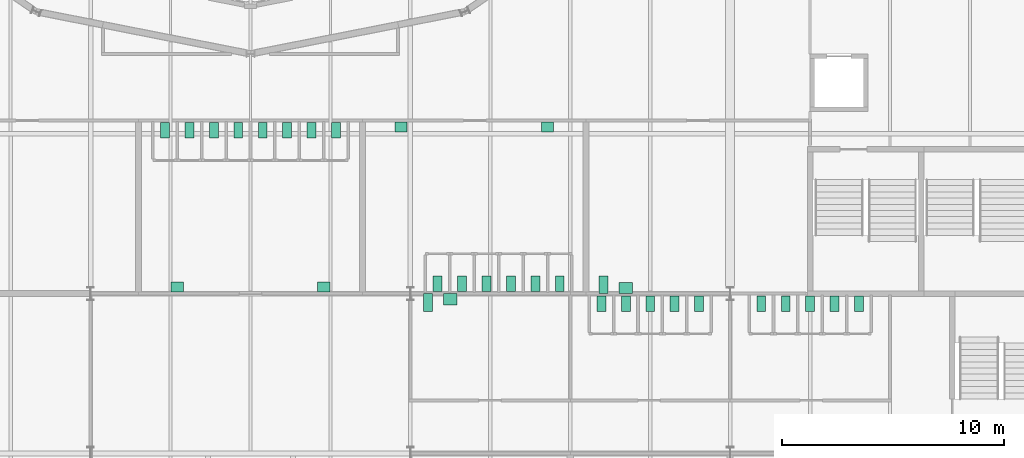
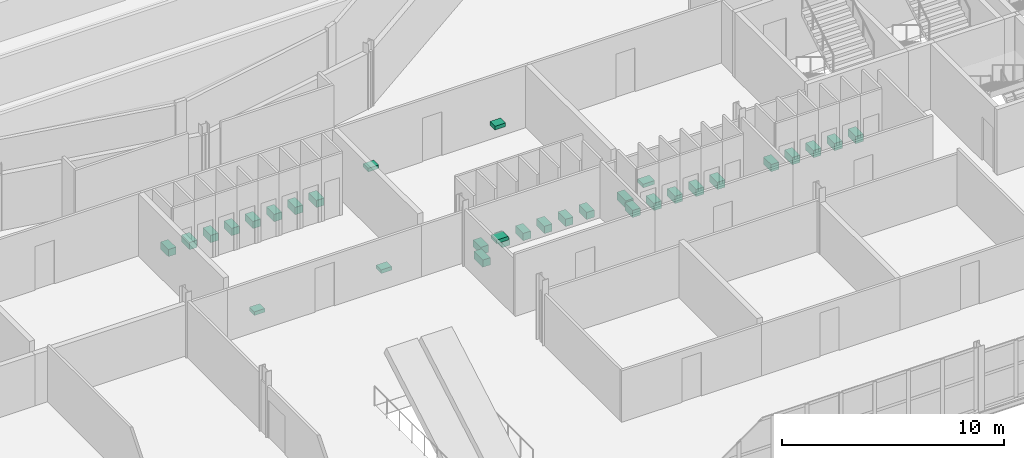
# One storey, part 89 of 90: 32 sanitary terminals.
"""IFC4 building model written with IfcOpenShell, lengths in metres."""

from ifc_helpers import new_model, si_unit, direction, frame, origin, origin_2d, place, context, subcontext, project, spatial, rectangle, extrude, element, save


model = new_model("IFC4")

# Units and contexts
model_context = context("Model", 3, precision=1e-05, world=origin(), true_north=direction((0.0, 1.0)))
body_context = subcontext(model_context, "Body", "Model", "MODEL_VIEW")
ifc_project = project(units=[si_unit("LENGTHUNIT", "METRE"), si_unit("AREAUNIT", "SQUARE_METRE"), si_unit("VOLUMEUNIT", "CUBIC_METRE"), si_unit("PLANEANGLEUNIT", "RADIAN"), si_unit("MASSUNIT", "GRAM", prefix="KILO")], contexts=[model_context])

# Site, building, storey
site_placement = place(None, origin())
site = spatial("IfcSite", under=ifc_project, at=site_placement, CompositionType="ELEMENT")
building_placement = place(site_placement, origin())
building = spatial("IfcBuilding", under=site, at=building_placement, Name="Kupolbacken Congress Centre", CompositionType="ELEMENT")
storey_placement = place(building_placement, frame((0.0, 0.0, 3.60009765625)))
storey = spatial("IfcBuildingStorey", under=building, at=storey_placement, Name="L01", CompositionType="ELEMENT", Elevation=3.60009765625)

# Sanitary terminals
for number, where, z_axis, x_axis, name in (
    (1, (59.0, 49.949951171875, 0.0), (0.0, 0.0, 1.0), (1.0, 0.0, 0.0), "WC pan"),
    (2, (60.10009765625, 49.949951171875, 0.0), (0.0, 0.0, 1.0), (1.0, 0.0, 0.0), "WC pan"),
    (3, (61.199951171875, 49.949951171875, 0.0), (0.0, 0.0, 1.0), (1.0, 0.0, 0.0), "WC pan"),
    (4, (62.300048828125, 49.949951171875, 0.0), (0.0, 0.0, 1.0), (1.0, 0.0, 0.0), "WC pan"),
    (5, (63.39990234375, 49.949951171875, 0.0), (0.0, 0.0, 1.0), (1.0, 0.0, 0.0), "WC pan"),
    (6, (66.199951171875, 49.949951171875, 0.0), (0.0, 0.0, 1.0), (1.0, 0.0, 0.0), "WC pan"),
    (7, (67.300048828125, 49.949951171875, 0.0), (0.0, 0.0, 1.0), (1.0, 0.0, 0.0), "WC pan"),
    (8, (68.39990234375, 49.949951171875, 0.0), (0.0, 0.0, 1.0), (1.0, 0.0, 0.0), "WC pan"),
    (9, (69.5, 49.949951171875, 0.0), (0.0, 0.0, 1.0), (1.0, 0.0, 0.0), "WC pan"),
    (10, (70.60009765625, 49.949951171875, 0.0), (0.0, 0.0, 1.0), (1.0, 0.0, 0.0), "WC pan"),
    (11, (39.35009765625, 57.75, 0.0), (0.0, 0.0, 1.0), (1.0, 0.0, 0.0), "WC pan"),
    (12, (40.449951171875, 57.75, 0.0), (0.0, 0.0, 1.0), (1.0, 0.0, 0.0), "WC pan"),
    (13, (41.550048828125, 57.75, 0.0), (0.0, 0.0, 1.0), (1.0, 0.0, 0.0), "WC pan"),
    (14, (42.64990234375, 57.75, 0.0), (0.0, 0.0, 1.0), (1.0, 0.0, 0.0), "WC pan"),
    (15, (43.75, 57.75, 0.0), (0.0, 0.0, 1.0), (1.0, 0.0, 0.0), "WC pan"),
    (16, (44.85009765625, 57.75, 0.0), (0.0, 0.0, 1.0), (1.0, 0.0, 0.0), "WC pan"),
    (17, (45.949951171875, 57.75, 0.0), (0.0, 0.0, 1.0), (1.0, 0.0, 0.0), "WC pan"),
    (18, (47.050048828125, 57.75, 0.0), (0.0, 0.0, 1.0), (1.0, 0.0, 0.0), "WC pan"),
):
    element("IfcSanitaryTerminal", number, at=place(storey_placement, frame(where, z_axis=z_axis, x_axis=x_axis)), inside=storey, Name=name, PredefinedType="TOILETPAN", context=body_context, shape_type="SweptSolid", body=[
        extrude(rectangle(XDim=0.39990234375, YDim=0.699951171875, at=origin_2d()), origin(), (0.0, 0.0, 1.0), 0.39990234375),
    ])
for number, where, z_axis, x_axis, name in (
    (19, (39.89990234375, 50.699951171875, 0.7998046875), (0.0, 0.0, 1.0), (1.0, 0.0, 0.0), "Wash basin"),
    (20, (46.5, 50.699951171875, 0.7998046875), (0.0, 0.0, 1.0), (1.0, 0.0, 0.0), "Wash basin"),
):
    element("IfcSanitaryTerminal", number, at=place(storey_placement, frame(where, z_axis=z_axis, x_axis=x_axis)), inside=storey, Name=name, PredefinedType="WASHHANDBASIN", context=body_context, shape_type="SweptSolid", body=[
        extrude(rectangle(XDim=0.550048828125, YDim=0.449951171875, at=origin_2d()), origin(), (0.0, 0.0, 1.0), 0.199951171875),
    ])
for number, where, z_axis, x_axis, name in (
    (21, (51.625, 50.85009765625, 0.0), (0.0, 0.0, 1.0), (1.0, 0.0, 0.0), "WC pan"),
    (22, (52.72509765625, 50.85009765625, 0.0), (0.0, 0.0, 1.0), (1.0, 0.0, 0.0), "WC pan"),
    (23, (53.824951171875, 50.85009765625, 0.0), (0.0, 0.0, 1.0), (1.0, 0.0, 0.0), "WC pan"),
    (24, (54.925048828125, 50.85009765625, 0.0), (0.0, 0.0, 1.0), (1.0, 0.0, 0.0), "WC pan"),
    (25, (56.02490234375, 50.85009765625, 0.0), (0.0, 0.0, 1.0), (1.0, 0.0, 0.0), "WC pan"),
    (26, (57.125, 50.85009765625, 0.0), (0.0, 0.0, 1.0), (1.0, 0.0, 0.0), "WC pan"),
):
    element("IfcSanitaryTerminal", number, at=place(storey_placement, frame(where, z_axis=z_axis, x_axis=x_axis)), inside=storey, Name=name, PredefinedType="TOILETPAN", context=body_context, shape_type="SweptSolid", body=[
        extrude(rectangle(XDim=0.39990234375, YDim=0.699951171875, at=origin_2d()), origin(), (0.0, 0.0, 1.0), 0.39990234375),
    ])
for number, where, z_axis, x_axis, name in (
    (27, (49.97509765625, 57.89990234375, 0.7998046875), (0.0, 0.0, 1.0), (1.0, 0.0, 0.0), "Wash basin"),
    (28, (56.574951171875, 57.89990234375, 0.7998046875), (0.0, 0.0, 1.0), (1.0, 0.0, 0.0), "Wash basin"),
):
    element("IfcSanitaryTerminal", number, at=place(storey_placement, frame(where, z_axis=z_axis, x_axis=x_axis)), inside=storey, Name=name, PredefinedType="WASHHANDBASIN", context=body_context, shape_type="SweptSolid", body=[
        extrude(rectangle(XDim=0.550048828125, YDim=0.449951171875, at=origin_2d()), origin(), (0.0, 0.0, 1.0), 0.199951171875),
    ])
sanitary_terminal_1_placement = place(storey_placement, frame((51.199951171875, 50.0, 0.0), z_axis=(0.0, 0.0, 1.0), x_axis=(1.0, 0.0, 0.0)))
element("IfcSanitaryTerminal", 29, at=sanitary_terminal_1_placement, inside=storey, Name="Accessible WC pan", PredefinedType="TOILETPAN", context=body_context, shape_type="SweptSolid", body=[
    extrude(rectangle(XDim=0.39990234375, YDim=0.800048828125, at=origin_2d()), origin(), (0.0, 0.0, 1.0), 0.39990234375),
])
sanitary_terminal_2_placement = place(storey_placement, frame((52.199951171875, 50.14990234375, 0.7998046875), z_axis=(0.0, 0.0, 1.0), x_axis=(1.0, 0.0, 0.0)))
element("IfcSanitaryTerminal", 30, at=sanitary_terminal_2_placement, inside=storey, Name="Accessible wash basin", PredefinedType="WASHHANDBASIN", context=body_context, shape_type="SweptSolid", body=[
    extrude(rectangle(XDim=0.60009765625, YDim=0.5, at=origin_2d()), origin(), (0.0, 0.0, 1.0), 0.199951171875),
])
sanitary_terminal_3_placement = place(storey_placement, frame((59.10009765625, 50.800048828125, 0.0), z_axis=(0.0, 0.0, 1.0), x_axis=(1.0, 0.0, 0.0)))
element("IfcSanitaryTerminal", 31, at=sanitary_terminal_3_placement, inside=storey, Name="Accessible WC pan", PredefinedType="TOILETPAN", context=body_context, shape_type="SweptSolid", body=[
    extrude(rectangle(XDim=0.39990234375, YDim=0.800048828125, at=origin_2d()), origin(), (0.0, 0.0, 1.0), 0.39990234375),
])
sanitary_terminal_4_placement = place(storey_placement, frame((60.10009765625, 50.64990234375, 0.7998046875), z_axis=(0.0, 0.0, 1.0), x_axis=(1.0, 0.0, 0.0)))
element("IfcSanitaryTerminal", 32, at=sanitary_terminal_4_placement, inside=storey, Name="Accessible wash basin", PredefinedType="WASHHANDBASIN", context=body_context, shape_type="SweptSolid", body=[
    extrude(rectangle(XDim=0.60009765625, YDim=0.5, at=origin_2d()), origin(), (0.0, 0.0, 1.0), 0.199951171875),
])

save(model, "model.ifc")
